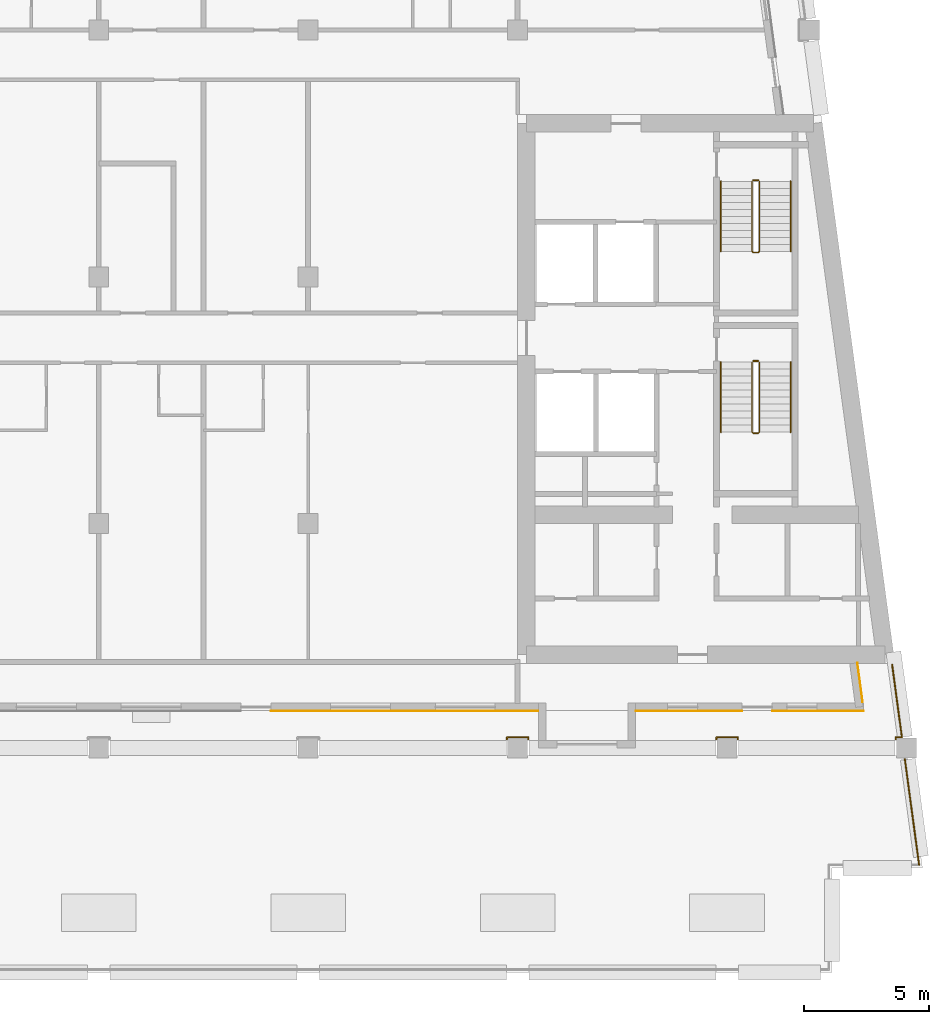
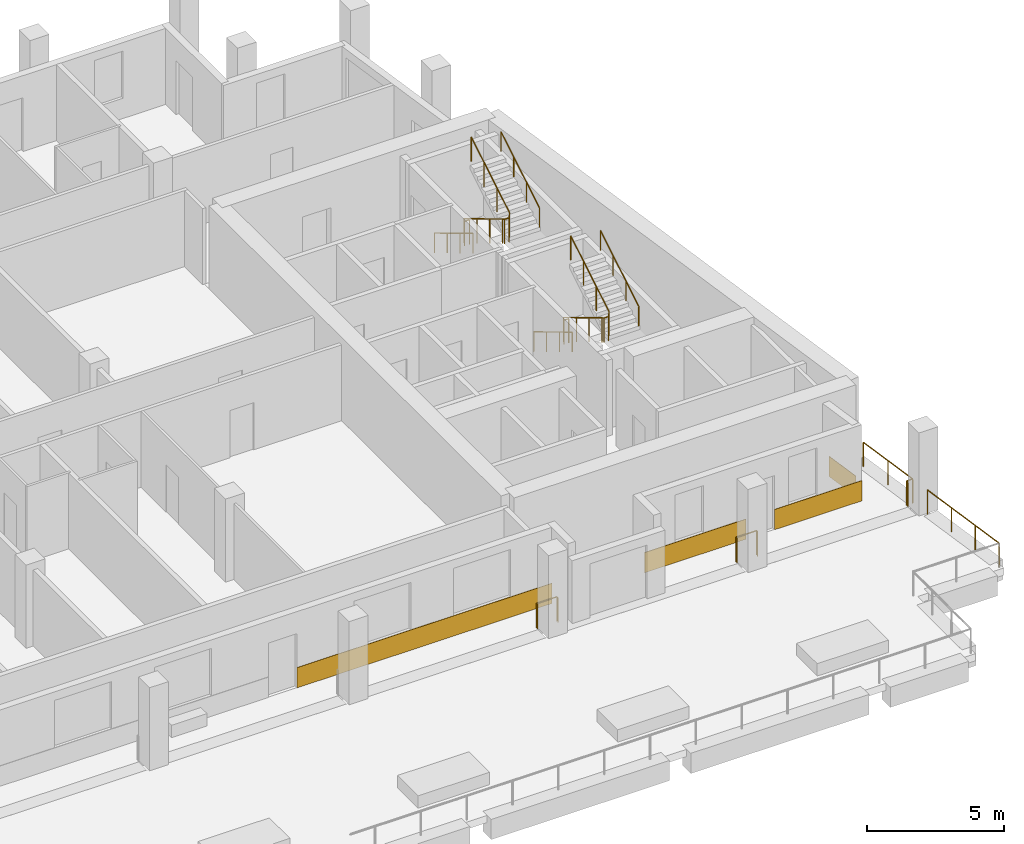
# One storey, part 10 of 12: 12 railings, 4 coverings.
"""IFC4 building model written with IfcOpenShell, lengths in metres."""

from ifc_helpers import new_model, si_unit, direction, frame, origin, origin_2d, place, context, subcontext, project, spatial, rectangle, circle, extrude, material, layer, layer_set, type_object, element, save


model = new_model("IFC4")

# Units and contexts
model_context = context("Model", 3, precision=1e-05, world=origin(), true_north=direction((0.0, 1.0)))
body_context = subcontext(model_context, "Body", "Model", "MODEL_VIEW")
ifc_project = project(units=[si_unit("LENGTHUNIT", "METRE"), si_unit("AREAUNIT", "SQUARE_METRE"), si_unit("VOLUMEUNIT", "CUBIC_METRE"), si_unit("PLANEANGLEUNIT", "RADIAN"), si_unit("MASSUNIT", "GRAM", prefix="KILO")], contexts=[model_context])

# Site, building, storey
site_placement = place(None, origin())
site = spatial("IfcSite", under=ifc_project, at=site_placement, CompositionType="ELEMENT")
building_placement = place(site_placement, origin())
building = spatial("IfcBuilding", under=site, at=building_placement, Name="Candeia Pilgrim Tower and Theatre", CompositionType="ELEMENT")
storey_placement = place(building_placement, frame((0.0, 0.0, 259.0)))
storey = spatial("IfcBuildingStorey", under=building, at=storey_placement, Name="L62", CompositionType="ELEMENT", Elevation=259.0)

# Railings
ifc_material_1 = material(Name="Stainless steel balustrade", Category="steel")
railing_type_1 = type_object("IfcRailingType", Name="G1 loggia guard 1100", PredefinedType="GUARDRAIL", material=ifc_material_1)
railing_1_placement = place(storey_placement, frame((141.016357421875, 110.35009765625, 0.0)))
element("IfcRailing", 1, at=railing_1_placement, inside=storey, type_object=railing_type_1, Name="Guard L62.3", PredefinedType="GUARDRAIL", context=body_context, shape_type="SweptSolid", body=[
    extrude(circle(Radius=0.02392578125, at=origin_2d()), frame((0.0, 0.0, 1.076171875), z_axis=(0.133401056725, -0.991062136329, 0.0), x_axis=(0.991062136329, 0.133401056725, 0.0)), (0.0, 0.0, 1.0), 2.946533203125),
    extrude(circle(Radius=0.02392578125, at=origin_2d()), frame((0.39306640625, -2.920166015625, 1.076171875), z_axis=(-1.0, 0.0, 0.0), x_axis=(0.0, -1.0, 0.0)), (0.0, 0.0, 1.0), 0.2509765625),
    extrude(circle(Radius=0.02392578125, at=origin_2d()), frame((0.14208984375, -2.920166015625, 1.076171875), z_axis=(0.0, -1.0, 0.0), x_axis=(1.0, 0.0, 0.0)), (0.0, 0.0, 1.0), 0.079833984375),
    extrude(circle(Radius=0.02099609375, at=origin_2d()), origin(), (0.0, 0.0, 1.0), 1.052001953125),
    extrude(circle(Radius=0.02099609375, at=origin_2d()), frame((0.196533203125, -1.4599609375, 0.0)), (0.0, 0.0, 1.0), 1.052001953125),
    extrude(circle(Radius=0.02099609375, at=origin_2d()), frame((0.39306640625, -2.920166015625, 0.0)), (0.0, 0.0, 1.0), 1.052001953125),
    extrude(circle(Radius=0.02099609375, at=origin_2d()), frame((0.14208984375, -2.920166015625, 0.0)), (0.0, 0.0, 1.0), 1.052001953125),
    extrude(circle(Radius=0.02099609375, at=origin_2d()), frame((0.14208984375, -3.0, 0.0)), (0.0, 0.0, 1.0), 1.052001953125),
])
railing_2_placement = place(storey_placement, frame((134.830078125, 107.35009765625, 0.0)))
element("IfcRailing", 2, at=railing_2_placement, inside=storey, type_object=railing_type_1, Name="Guard L62.4", PredefinedType="GUARDRAIL", context=body_context, shape_type="SweptSolid", body=[
    extrude(circle(Radius=0.02392578125, at=origin_2d()), frame((0.0, 0.0, 1.076171875), z_axis=(0.0, 1.0, 0.0), x_axis=(-1.0, 0.0, 0.0)), (0.0, 0.0, 1.0), 0.079833984375),
    extrude(circle(Radius=0.02392578125, at=origin_2d()), frame((0.0, 0.079833984375, 1.076171875), z_axis=(-1.0, 0.0, 0.0), x_axis=(0.0, -1.0, 0.0)), (0.0, 0.0, 1.0), 0.860107421875),
    extrude(circle(Radius=0.02392578125, at=origin_2d()), frame((-0.860107421875, 0.079833984375, 1.076171875), z_axis=(0.0, -1.0, 0.0), x_axis=(1.0, 0.0, 0.0)), (0.0, 0.0, 1.0), 0.079833984375),
    extrude(circle(Radius=0.02099609375, at=origin_2d()), origin(), (0.0, 0.0, 1.0), 1.052001953125),
    extrude(circle(Radius=0.02099609375, at=origin_2d()), frame((0.0, 0.079833984375, 0.0)), (0.0, 0.0, 1.0), 1.052001953125),
    extrude(circle(Radius=0.02099609375, at=origin_2d()), frame((-0.860107421875, 0.079833984375, 0.0)), (0.0, 0.0, 1.0), 1.052001953125),
    extrude(circle(Radius=0.02099609375, at=origin_2d()), frame((-0.860107421875, 0.0, 0.0)), (0.0, 0.0, 1.0), 1.052001953125),
])
railing_3_placement = place(storey_placement, frame((126.429931640625, 107.35009765625, 0.0)))
element("IfcRailing", 3, at=railing_3_placement, inside=storey, type_object=railing_type_1, Name="Guard L62.5", PredefinedType="GUARDRAIL", context=body_context, shape_type="SweptSolid", body=[
    extrude(circle(Radius=0.02392578125, at=origin_2d()), frame((0.0, 0.0, 1.076171875), z_axis=(0.0, 1.0, 0.0), x_axis=(-1.0, 0.0, 0.0)), (0.0, 0.0, 1.0), 0.079833984375),
    extrude(circle(Radius=0.02392578125, at=origin_2d()), frame((0.0, 0.079833984375, 1.076171875), z_axis=(-1.0, 0.0, 0.0), x_axis=(0.0, -1.0, 0.0)), (0.0, 0.0, 1.0), 0.85986328125),
    extrude(circle(Radius=0.02392578125, at=origin_2d()), frame((-0.85986328125, 0.079833984375, 1.076171875), z_axis=(0.0, -1.0, 0.0), x_axis=(1.0, 0.0, 0.0)), (0.0, 0.0, 1.0), 0.079833984375),
    extrude(circle(Radius=0.02099609375, at=origin_2d()), origin(), (0.0, 0.0, 1.0), 1.052001953125),
    extrude(circle(Radius=0.02099609375, at=origin_2d()), frame((0.0, 0.079833984375, 0.0)), (0.0, 0.0, 1.0), 1.052001953125),
    extrude(circle(Radius=0.02099609375, at=origin_2d()), frame((-0.85986328125, 0.079833984375, 0.0)), (0.0, 0.0, 1.0), 1.052001953125),
    extrude(circle(Radius=0.02099609375, at=origin_2d()), frame((-0.85986328125, 0.0, 0.0)), (0.0, 0.0, 1.0), 1.052001953125),
])
railing_4_placement = place(storey_placement, frame((141.528076171875, 106.550048828125, 0.0)))
element("IfcRailing", 4, at=railing_4_placement, inside=storey, type_object=railing_type_1, Name="Terrace guard L62.2", PredefinedType="GUARDRAIL", context=body_context, shape_type="SweptSolid", body=[
    extrude(circle(Radius=0.02392578125, at=origin_2d()), frame((0.0, 0.0, 1.076171875), z_axis=(0.133392564216, -0.991063279419, 0.0), x_axis=(0.991063279419, 0.133392564216, 0.0)), (0.0, 0.0, 1.0), 4.26806640625),
    extrude(circle(Radius=0.02099609375, at=origin_2d()), origin(), (0.0, 0.0, 1.0), 1.052001953125),
    extrude(circle(Radius=0.02099609375, at=origin_2d()), frame((0.189697265625, -1.409912109375, 0.0)), (0.0, 0.0, 1.0), 1.052001953125),
    extrude(circle(Radius=0.02099609375, at=origin_2d()), frame((0.379638671875, -2.820068359375, 0.0)), (0.0, 0.0, 1.0), 1.052001953125),
    extrude(circle(Radius=0.02099609375, at=origin_2d()), frame((0.5693359375, -4.22998046875, 0.0)), (0.0, 0.0, 1.0), 1.052001953125),
])

# Coverings
ifc_material_2 = material(Name="Glazed ceramic tile bottle green")
ifc_layer = layer(ifc_material_2, 0.02001953125)
ifc_layer_set = layer_set([ifc_layer], Name="Glazed ceramic tile bottle green")
covering_type = type_object("IfcCoveringType", Name="Glazed ceramic tile bottle green", PredefinedType="CLADDING", material=ifc_layer_set)
covering_1_placement = place(storey_placement, frame((121.464599609375, 108.489990234375, 0.0), z_axis=(0.0, 0.0, 1.0), x_axis=(1.0, 0.0, 0.0)))
element("IfcCovering", 5, at=covering_1_placement, inside=storey, type_object=covering_type, Name="Tile cladding bottle green L62", PredefinedType="CLADDING", context=body_context, shape_type="SweptSolid", body=[
    extrude(rectangle(XDim=10.7294921875, YDim=0.02001953125, at=origin_2d()), origin(), (0.0, 0.0, 1.0), 0.89990234375),
])
covering_2_placement = place(storey_placement, frame((132.86474609375, 108.489990234375, 0.0), z_axis=(0.0, 0.0, 1.0), x_axis=(1.0, 0.0, 0.0)))
element("IfcCovering", 6, at=covering_2_placement, inside=storey, type_object=covering_type, Name="Tile cladding bottle green L62", PredefinedType="CLADDING", context=body_context, shape_type="SweptSolid", body=[
    extrude(rectangle(XDim=4.2705078125, YDim=0.02001953125, at=origin_2d()), origin(), (0.0, 0.0, 1.0), 0.89990234375),
])
covering_3_placement = place(storey_placement, frame((138.03662109375, 108.489990234375, 0.0), z_axis=(0.0, 0.0, 1.0), x_axis=(1.0, 0.0, 0.0)))
element("IfcCovering", 7, at=covering_3_placement, inside=storey, type_object=covering_type, Name="Tile cladding bottle green L62", PredefinedType="CLADDING", context=body_context, shape_type="SweptSolid", body=[
    extrude(rectangle(XDim=3.673095703125, YDim=0.02001953125, at=origin_2d()), origin(), (0.0, 0.0, 1.0), 0.89990234375),
])
covering_4_placement = place(storey_placement, frame((139.73095703125, 109.630615234375, 0.0), z_axis=(0.0, 0.0, 1.0), x_axis=(-0.133412012145, 0.991060661622, 0.0)))
element("IfcCovering", 8, at=covering_4_placement, inside=storey, type_object=covering_type, Name="Tile cladding bottle green L62", PredefinedType="CLADDING", context=body_context, shape_type="SweptSolid", body=[
    extrude(rectangle(XDim=1.595703125, YDim=0.02001953125, at=origin_2d()), origin(), (0.0, 0.0, 1.0), 0.89990234375),
])

# Railings
railing_type_2 = type_object("IfcRailingType", Name="RL-GUARD-1100", PredefinedType="GUARDRAIL", material=ifc_material_1)
railing_5_placement = place(storey_placement, frame((135.39794921875, 122.47509765625, 0.168212890625)))
element("IfcRailing", 9, at=railing_5_placement, inside=storey, type_object=railing_type_2, Name="L62 ST3 stair guard 1", PredefinedType="GUARDRAIL", context=body_context, shape_type="SweptSolid", body=[
    extrude(circle(Radius=0.02392578125, at=origin_2d()), frame((0.0, 0.0, 1.076171875), z_axis=(0.0, -0.857242210791, 0.514913383045), x_axis=(1.0, 0.0, 0.0)), (0.0, 0.0, 1.0), 3.266357421875),
    extrude(circle(Radius=0.02392578125, at=origin_2d()), frame((0.0, -2.800048828125, 2.7578125), z_axis=(0.707106781187, -0.707106781187, 0.0), x_axis=(0.707106781187, 0.707106781187, 0.0)), (0.0, 0.0, 1.0), 0.07080078125),
    extrude(circle(Radius=0.02392578125, at=origin_2d()), frame((0.050048828125, -2.85009765625, 2.7578125), z_axis=(1.0, 0.0, 0.0), x_axis=(0.0, 1.0, 0.0)), (0.0, 0.0, 1.0), 0.199951171875),
    extrude(circle(Radius=0.02392578125, at=origin_2d()), frame((0.25, -2.85009765625, 2.7578125), z_axis=(0.274582412415, 0.274582412415, 0.921525364591), x_axis=(-0.707106781187, 0.707106781187, 0.0)), (0.0, 0.0, 1.0), 0.182373046875),
    extrude(circle(Radius=0.02392578125, at=origin_2d()), frame((0.300048828125, -2.800048828125, 2.92578125), z_axis=(0.0, 0.857242210791, 0.514913383045), x_axis=(-1.0, 0.0, 0.0)), (0.0, 0.0, 1.0), 3.266357421875),
    extrude(circle(Radius=0.02099609375, at=origin_2d()), origin(), (0.0, 0.0, 1.0), 1.052001953125),
    extrude(circle(Radius=0.02099609375, at=origin_2d()), frame((0.0, -0.933349609375, 0.560546875)), (0.0, 0.0, 1.0), 1.052001953125),
    extrude(circle(Radius=0.02099609375, at=origin_2d()), frame((0.0, -1.86669921875, 1.121337890625)), (0.0, 0.0, 1.0), 1.052001953125),
    extrude(circle(Radius=0.02099609375, at=origin_2d()), frame((0.0, -2.800048828125, 1.681884765625)), (0.0, 0.0, 1.0), 1.052001953125),
    extrude(circle(Radius=0.02099609375, at=origin_2d()), frame((0.050048828125, -2.85009765625, 1.681884765625)), (0.0, 0.0, 1.0), 1.052001953125),
    extrude(circle(Radius=0.02099609375, at=origin_2d()), frame((0.25, -2.85009765625, 1.681884765625)), (0.0, 0.0, 1.0), 1.052001953125),
    extrude(circle(Radius=0.02099609375, at=origin_2d()), frame((0.300048828125, -2.800048828125, 1.849853515625)), (0.0, 0.0, 1.0), 1.052001953125),
    extrude(circle(Radius=0.02099609375, at=origin_2d()), frame((0.300048828125, -1.86669921875, 2.410400390625)), (0.0, 0.0, 1.0), 1.052001953125),
    extrude(circle(Radius=0.02099609375, at=origin_2d()), frame((0.300048828125, -0.933349609375, 2.97119140625)), (0.0, 0.0, 1.0), 1.052001953125),
    extrude(circle(Radius=0.02099609375, at=origin_2d()), frame((0.300048828125, 0.0, 3.53173828125)), (0.0, 0.0, 1.0), 1.052001953125),
])
railing_6_placement = place(storey_placement, frame((135.447998046875, 122.52490234375, 0.0)))
element("IfcRailing", 10, at=railing_6_placement, inside=storey, type_object=railing_type_2, Name="L62 ST3 stair guard 2", PredefinedType="GUARDRAIL", context=body_context, shape_type="SweptSolid", body=[
    extrude(circle(Radius=0.02392578125, at=origin_2d()), frame((0.0, 0.0, 1.076171875), z_axis=(1.0, 0.0, 0.0), x_axis=(0.0, 1.0, 0.0)), (0.0, 0.0, 1.0), 0.199951171875),
    extrude(circle(Radius=0.02099609375, at=origin_2d()), origin(), (0.0, 0.0, 1.0), 1.052001953125),
    extrude(circle(Radius=0.02099609375, at=origin_2d()), frame((0.199951171875, 0.0, 0.0)), (0.0, 0.0, 1.0), 1.052001953125),
])
railing_7_placement = place(storey_placement, frame((135.39794921875, 129.72509765625, 0.168212890625)))
element("IfcRailing", 11, at=railing_7_placement, inside=storey, type_object=railing_type_2, Name="L62 ST4 stair guard 1", PredefinedType="GUARDRAIL", context=body_context, shape_type="SweptSolid", body=[
    extrude(circle(Radius=0.02392578125, at=origin_2d()), frame((0.0, 0.0, 1.076171875), z_axis=(0.0, -0.857242210791, 0.514913383045), x_axis=(1.0, 0.0, 0.0)), (0.0, 0.0, 1.0), 3.266357421875),
    extrude(circle(Radius=0.02392578125, at=origin_2d()), frame((0.0, -2.800048828125, 2.7578125), z_axis=(0.707106781187, -0.707106781187, 0.0), x_axis=(0.707106781187, 0.707106781187, 0.0)), (0.0, 0.0, 1.0), 0.07080078125),
    extrude(circle(Radius=0.02392578125, at=origin_2d()), frame((0.050048828125, -2.85009765625, 2.7578125), z_axis=(1.0, 0.0, 0.0), x_axis=(0.0, 1.0, 0.0)), (0.0, 0.0, 1.0), 0.199951171875),
    extrude(circle(Radius=0.02392578125, at=origin_2d()), frame((0.25, -2.85009765625, 2.7578125), z_axis=(0.274582412415, 0.274582412415, 0.921525364591), x_axis=(-0.707106781187, 0.707106781187, 0.0)), (0.0, 0.0, 1.0), 0.182373046875),
    extrude(circle(Radius=0.02392578125, at=origin_2d()), frame((0.300048828125, -2.800048828125, 2.92578125), z_axis=(0.0, 0.857242210791, 0.514913383045), x_axis=(-1.0, 0.0, 0.0)), (0.0, 0.0, 1.0), 3.266357421875),
    extrude(circle(Radius=0.02099609375, at=origin_2d()), origin(), (0.0, 0.0, 1.0), 1.052001953125),
    extrude(circle(Radius=0.02099609375, at=origin_2d()), frame((0.0, -0.933349609375, 0.560546875)), (0.0, 0.0, 1.0), 1.052001953125),
    extrude(circle(Radius=0.02099609375, at=origin_2d()), frame((0.0, -1.86669921875, 1.121337890625)), (0.0, 0.0, 1.0), 1.052001953125),
    extrude(circle(Radius=0.02099609375, at=origin_2d()), frame((0.0, -2.800048828125, 1.681884765625)), (0.0, 0.0, 1.0), 1.052001953125),
    extrude(circle(Radius=0.02099609375, at=origin_2d()), frame((0.050048828125, -2.85009765625, 1.681884765625)), (0.0, 0.0, 1.0), 1.052001953125),
    extrude(circle(Radius=0.02099609375, at=origin_2d()), frame((0.25, -2.85009765625, 1.681884765625)), (0.0, 0.0, 1.0), 1.052001953125),
    extrude(circle(Radius=0.02099609375, at=origin_2d()), frame((0.300048828125, -2.800048828125, 1.849853515625)), (0.0, 0.0, 1.0), 1.052001953125),
    extrude(circle(Radius=0.02099609375, at=origin_2d()), frame((0.300048828125, -1.86669921875, 2.410400390625)), (0.0, 0.0, 1.0), 1.052001953125),
    extrude(circle(Radius=0.02099609375, at=origin_2d()), frame((0.300048828125, -0.933349609375, 2.97119140625)), (0.0, 0.0, 1.0), 1.052001953125),
    extrude(circle(Radius=0.02099609375, at=origin_2d()), frame((0.300048828125, 0.0, 3.53173828125)), (0.0, 0.0, 1.0), 1.052001953125),
])
railing_8_placement = place(storey_placement, frame((135.447998046875, 129.77490234375, 0.0)))
element("IfcRailing", 12, at=railing_8_placement, inside=storey, type_object=railing_type_2, Name="L62 ST4 stair guard 2", PredefinedType="GUARDRAIL", context=body_context, shape_type="SweptSolid", body=[
    extrude(circle(Radius=0.02392578125, at=origin_2d()), frame((0.0, 0.0, 1.076171875), z_axis=(1.0, 0.0, 0.0), x_axis=(0.0, 1.0, 0.0)), (0.0, 0.0, 1.0), 0.199951171875),
    extrude(circle(Radius=0.02099609375, at=origin_2d()), origin(), (0.0, 0.0, 1.0), 1.052001953125),
    extrude(circle(Radius=0.02099609375, at=origin_2d()), frame((0.199951171875, 0.0, 0.0)), (0.0, 0.0, 1.0), 1.052001953125),
])
ifc_material_3 = material(Name="Stainless steel handrail", Category="steel")
railing_type_3 = type_object("IfcRailingType", Name="RL-HANDRAIL-900", PredefinedType="HANDRAIL", material=ifc_material_3)
railing_9_placement = place(storey_placement, frame((134.14794921875, 122.47509765625, 0.168212890625)))
element("IfcRailing", 13, at=railing_9_placement, inside=storey, type_object=railing_type_3, Name="L62 ST3 stair handrail 1", PredefinedType="HANDRAIL", context=body_context, shape_type="SweptSolid", body=[
    extrude(circle(Radius=0.02392578125, at=origin_2d()), frame((0.0, 0.0, 0.8759765625), z_axis=(0.0, -0.857242210791, 0.514913383045), x_axis=(1.0, 0.0, 0.0)), (0.0, 0.0, 1.0), 3.266357421875),
    extrude(circle(Radius=0.02099609375, at=origin_2d()), origin(), (0.0, 0.0, 1.0), 0.851806640625),
    extrude(circle(Radius=0.02099609375, at=origin_2d()), frame((0.0, -0.933349609375, 0.560546875)), (0.0, 0.0, 1.0), 0.851806640625),
    extrude(circle(Radius=0.02099609375, at=origin_2d()), frame((0.0, -1.86669921875, 1.121337890625)), (0.0, 0.0, 1.0), 0.851806640625),
    extrude(circle(Radius=0.02099609375, at=origin_2d()), frame((0.0, -2.800048828125, 1.681884765625)), (0.0, 0.0, 1.0), 0.851806640625),
])
railing_10_placement = place(storey_placement, frame((136.947998046875, 119.675048828125, 2.01806640625)))
element("IfcRailing", 14, at=railing_10_placement, inside=storey, type_object=railing_type_3, Name="L62 ST3 stair handrail 2", PredefinedType="HANDRAIL", context=body_context, shape_type="SweptSolid", body=[
    extrude(circle(Radius=0.02392578125, at=origin_2d()), frame((0.0, 0.0, 0.8759765625), z_axis=(0.0, 0.857242210791, 0.514913383045), x_axis=(-1.0, 0.0, 0.0)), (0.0, 0.0, 1.0), 3.266357421875),
    extrude(circle(Radius=0.02099609375, at=origin_2d()), origin(), (0.0, 0.0, 1.0), 0.851806640625),
    extrude(circle(Radius=0.02099609375, at=origin_2d()), frame((0.0, 0.933349609375, 0.560546875)), (0.0, 0.0, 1.0), 0.851806640625),
    extrude(circle(Radius=0.02099609375, at=origin_2d()), frame((0.0, 1.86669921875, 1.121337890625)), (0.0, 0.0, 1.0), 0.851806640625),
    extrude(circle(Radius=0.02099609375, at=origin_2d()), frame((0.0, 2.800048828125, 1.681884765625)), (0.0, 0.0, 1.0), 0.851806640625),
])
railing_11_placement = place(storey_placement, frame((134.14794921875, 129.72509765625, 0.168212890625)))
element("IfcRailing", 15, at=railing_11_placement, inside=storey, type_object=railing_type_3, Name="L62 ST4 stair handrail 1", PredefinedType="HANDRAIL", context=body_context, shape_type="SweptSolid", body=[
    extrude(circle(Radius=0.02392578125, at=origin_2d()), frame((0.0, 0.0, 0.8759765625), z_axis=(0.0, -0.857242210791, 0.514913383045), x_axis=(1.0, 0.0, 0.0)), (0.0, 0.0, 1.0), 3.266357421875),
    extrude(circle(Radius=0.02099609375, at=origin_2d()), origin(), (0.0, 0.0, 1.0), 0.851806640625),
    extrude(circle(Radius=0.02099609375, at=origin_2d()), frame((0.0, -0.933349609375, 0.560546875)), (0.0, 0.0, 1.0), 0.851806640625),
    extrude(circle(Radius=0.02099609375, at=origin_2d()), frame((0.0, -1.86669921875, 1.121337890625)), (0.0, 0.0, 1.0), 0.851806640625),
    extrude(circle(Radius=0.02099609375, at=origin_2d()), frame((0.0, -2.800048828125, 1.681884765625)), (0.0, 0.0, 1.0), 0.851806640625),
])
railing_12_placement = place(storey_placement, frame((136.947998046875, 126.925048828125, 2.01806640625)))
element("IfcRailing", 16, at=railing_12_placement, inside=storey, type_object=railing_type_3, Name="L62 ST4 stair handrail 2", PredefinedType="HANDRAIL", context=body_context, shape_type="SweptSolid", body=[
    extrude(circle(Radius=0.02392578125, at=origin_2d()), frame((0.0, 0.0, 0.8759765625), z_axis=(0.0, 0.857242210791, 0.514913383045), x_axis=(-1.0, 0.0, 0.0)), (0.0, 0.0, 1.0), 3.266357421875),
    extrude(circle(Radius=0.02099609375, at=origin_2d()), origin(), (0.0, 0.0, 1.0), 0.851806640625),
    extrude(circle(Radius=0.02099609375, at=origin_2d()), frame((0.0, 0.933349609375, 0.560546875)), (0.0, 0.0, 1.0), 0.851806640625),
    extrude(circle(Radius=0.02099609375, at=origin_2d()), frame((0.0, 1.86669921875, 1.121337890625)), (0.0, 0.0, 1.0), 0.851806640625),
    extrude(circle(Radius=0.02099609375, at=origin_2d()), frame((0.0, 2.800048828125, 1.681884765625)), (0.0, 0.0, 1.0), 0.851806640625),
])

save(model, "model.ifc")
